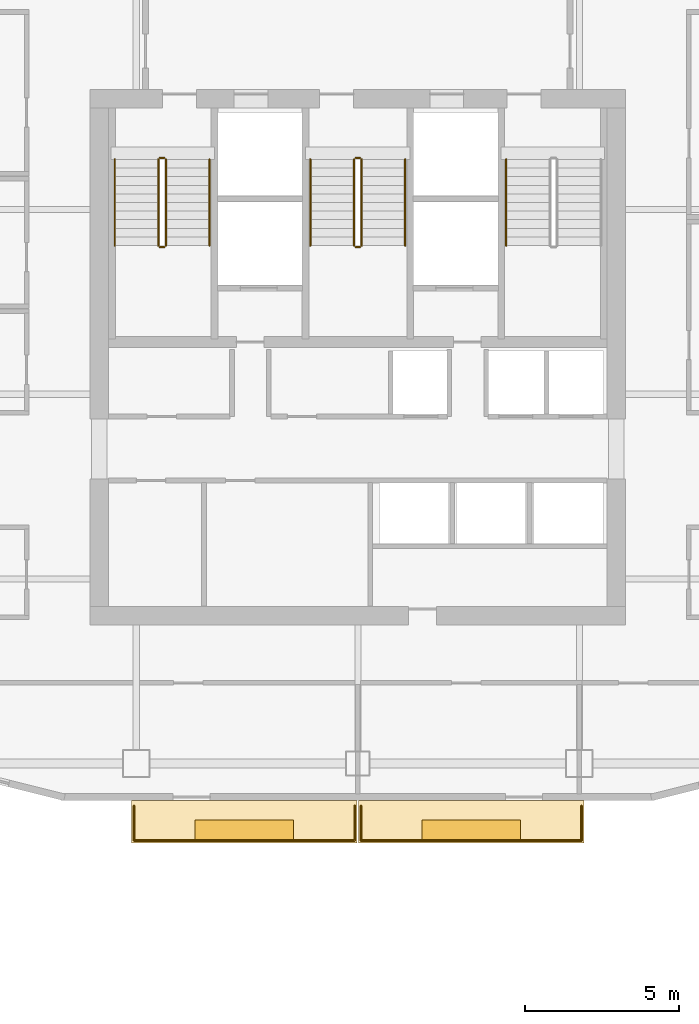
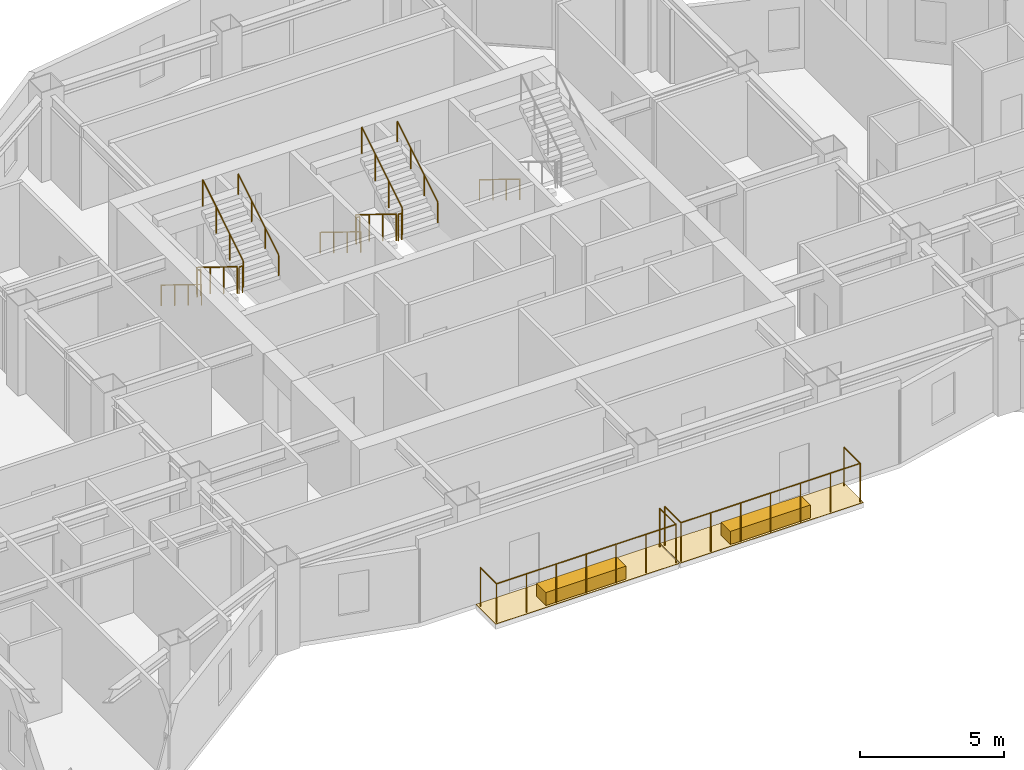
# One storey, part 10 of 12: 17 railings, 4 coverings.
"""IFC4 building model written with IfcOpenShell, lengths in metres."""

from ifc_helpers import new_model, si_unit, direction, frame, origin, origin_2d, place, context, subcontext, project, spatial, polyline, rectangle, circle, outline, extrude, material, layer, layer_set, type_object, element, save


model = new_model("IFC4")

# Units and contexts
model_context = context("Model", 3, precision=1e-05, world=origin(), true_north=direction((0.0, 1.0)))
body_context = subcontext(model_context, "Body", "Model", "MODEL_VIEW")
ifc_project = project(units=[si_unit("LENGTHUNIT", "METRE"), si_unit("AREAUNIT", "SQUARE_METRE"), si_unit("VOLUMEUNIT", "CUBIC_METRE"), si_unit("PLANEANGLEUNIT", "RADIAN"), si_unit("MASSUNIT", "GRAM", prefix="KILO")], contexts=[model_context])

# Site, building, storey
site_placement = place(None, origin())
site = spatial("IfcSite", under=ifc_project, at=site_placement, CompositionType="ELEMENT")
building_placement = place(site_placement, origin())
building = spatial("IfcBuilding", under=site, at=building_placement, Name="Haolan Belvedere Tower", CompositionType="ELEMENT")
storey_placement = place(building_placement, frame((0.0, 0.0, 203.199951171875)))
storey = spatial("IfcBuildingStorey", under=building, at=storey_placement, Name="L51", CompositionType="ELEMENT", Elevation=203.199951171875)

# Coverings
ifc_material_1 = material(Name="Engineered lightweight planted garden soil substrate", Category="masonry")
ifc_layer_1 = layer(ifc_material_1, 0.550048828125, Name="Engineered lightweight planted garden soil substrate")
ifc_layer_set_1 = layer_set([ifc_layer_1], Name="Engineered lightweight planted garden soil substrate")
covering_type_1 = type_object("IfcCoveringType", Name="COV-PLANT-550", PredefinedType="MEMBRANE", material=ifc_layer_set_1)
for number, where, z_axis, x_axis, name in (
    (1, (34.715087890625, 19.43994140625, 0.0), (0.0, 0.0, 1.0), (1.0, 0.0, 0.0), "L51 structural tree balcony PLANTER box 1"),
    (2, (42.0849609375, 19.43994140625, 0.0), (0.0, 0.0, 1.0), (1.0, 0.0, 0.0), "L51 structural tree balcony PLANTER box 2"),
):
    element("IfcCovering", number, at=place(storey_placement, frame(where, z_axis=z_axis, x_axis=x_axis)), inside=storey, type_object=covering_type_1, Name=name, PredefinedType="MEMBRANE", context=body_context, shape_type="SweptSolid", body=[
        extrude(rectangle(XDim=3.199951171875, YDim=0.64990234375, at=origin_2d()), origin(), (0.0, 0.0, 1.0), 0.550048828125),
    ])
ifc_material_2 = material(Name="Elastomeric waterproof roofing membrane and stone pavers", Category="masonry")
ifc_layer_2 = layer(ifc_material_2, 0.02001953125, Name="Elastomeric waterproof roofing membrane and stone pavers")
ifc_layer_set_2 = layer_set([ifc_layer_2], Name="Elastomeric waterproof roofing membrane and stone pavers")
covering_type_2 = type_object("IfcCoveringType", Name="COV-ROOF-20", PredefinedType="ROOFING", material=ifc_layer_set_2)
covering_1_placement = place(storey_placement, frame((0.0, 0.0, -0.02001953125)))
element("IfcCovering", 3, at=covering_1_placement, inside=storey, type_object=covering_type_2, Name="L51 tree-balcony waterproof membrane 1", PredefinedType="ROOFING", context=body_context, shape_type="SweptSolid", body=[
    extrude(outline(polyline([(31.050048828125, 19.02001953125), (38.3798828125, 19.02001953125), (38.3798828125, 20.39990234375), (31.050048828125, 20.39990234375), (31.050048828125, 19.02001953125)])), origin(), (0.0, 0.0, 1.0), 0.02001953125),
])
covering_2_placement = place(storey_placement, frame((0.0, 0.0, -0.02001953125)))
element("IfcCovering", 4, at=covering_2_placement, inside=storey, type_object=covering_type_2, Name="L51 tree-balcony waterproof membrane 2", PredefinedType="ROOFING", context=body_context, shape_type="SweptSolid", body=[
    extrude(outline(polyline([(38.419921875, 19.02001953125), (45.75, 19.02001953125), (45.75, 20.39990234375), (38.419921875, 20.39990234375), (38.419921875, 19.02001953125)])), origin(), (0.0, 0.0, 1.0), 0.02001953125),
])

# Railings
ifc_material_3 = material(Name="Brushed stainless steel 304", Category="steel")
railing_type_1 = type_object("IfcRailingType", Name="RL-STAIR-GRD-1150", PredefinedType="GUARDRAIL", material=ifc_material_3)
railing_1_placement = place(storey_placement, frame((31.919921875, 41.22998046875, 0.1728515625)))
element("IfcRailing", 5, at=railing_1_placement, inside=storey, type_object=railing_type_1, Name="L51 ST1 stair guard 1", PredefinedType="GUARDRAIL", context=body_context, shape_type="SweptSolid", body=[
    extrude(circle(Radius=0.02392578125, at=origin_2d()), frame((0.0, 0.0, 1.1259765625), z_axis=(0.0, -0.851089632645, 0.525020415988), x_axis=(1.0, 0.0, 0.0)), (0.0, 0.0, 1.0), 3.2900390625),
    extrude(circle(Radius=0.02099609375, at=origin_2d()), origin(), (0.0, 0.0, 1.0), 1.101806640625),
    extrude(circle(Radius=0.02099609375, at=origin_2d()), frame((0.0, -0.933349609375, 0.57568359375)), (0.0, 0.0, 1.0), 1.101806640625),
    extrude(circle(Radius=0.02099609375, at=origin_2d()), frame((0.0, -1.86669921875, 1.151611328125)), (0.0, 0.0, 1.0), 1.101806640625),
    extrude(circle(Radius=0.02099609375, at=origin_2d()), frame((0.0, -2.800048828125, 1.727294921875)), (0.0, 0.0, 1.0), 1.101806640625),
])
railing_2_placement = place(storey_placement, frame((31.969970703125, 38.3798828125, 1.900146484375)))
element("IfcRailing", 6, at=railing_2_placement, inside=storey, type_object=railing_type_1, Name="L51 ST1 stair guard 2", PredefinedType="GUARDRAIL", context=body_context, shape_type="SweptSolid", body=[
    extrude(circle(Radius=0.02392578125, at=origin_2d()), frame((0.0, 0.0, 1.1259765625), z_axis=(1.0, 0.0, 0.0), x_axis=(0.0, 1.0, 0.0)), (0.0, 0.0, 1.0), 0.14013671875),
    extrude(circle(Radius=0.02099609375, at=origin_2d()), origin(), (0.0, 0.0, 1.0), 1.101806640625),
    extrude(circle(Radius=0.02099609375, at=origin_2d()), frame((0.14013671875, 0.0, 0.0)), (0.0, 0.0, 1.0), 1.101806640625),
])
railing_3_placement = place(storey_placement, frame((32.159912109375, 38.429931640625, 2.07275390625)))
element("IfcRailing", 7, at=railing_3_placement, inside=storey, type_object=railing_type_1, Name="L51 ST1 stair guard 3", PredefinedType="GUARDRAIL", context=body_context, shape_type="SweptSolid", body=[
    extrude(circle(Radius=0.02392578125, at=origin_2d()), frame((0.0, 0.0, 1.1259765625), z_axis=(0.0, 0.851089632645, 0.525020415988), x_axis=(-1.0, 0.0, 0.0)), (0.0, 0.0, 1.0), 3.2900390625),
    extrude(circle(Radius=0.02099609375, at=origin_2d()), origin(), (0.0, 0.0, 1.0), 1.101806640625),
    extrude(circle(Radius=0.02099609375, at=origin_2d()), frame((0.0, 0.933349609375, 0.57568359375)), (0.0, 0.0, 1.0), 1.101806640625),
    extrude(circle(Radius=0.02099609375, at=origin_2d()), frame((0.0, 1.86669921875, 1.151611328125)), (0.0, 0.0, 1.0), 1.101806640625),
    extrude(circle(Radius=0.02099609375, at=origin_2d()), frame((0.0, 2.800048828125, 1.727294921875)), (0.0, 0.0, 1.0), 1.101806640625),
])
railing_4_placement = place(storey_placement, frame((31.969970703125, 41.280029296875, 0.0)))
element("IfcRailing", 8, at=railing_4_placement, inside=storey, type_object=railing_type_1, Name="L51 ST1 stair guard 4", PredefinedType="GUARDRAIL", context=body_context, shape_type="SweptSolid", body=[
    extrude(circle(Radius=0.02392578125, at=origin_2d()), frame((0.0, 0.0, 1.1259765625), z_axis=(1.0, 0.0, 0.0), x_axis=(0.0, 1.0, 0.0)), (0.0, 0.0, 1.0), 0.14013671875),
    extrude(circle(Radius=0.02099609375, at=origin_2d()), origin(), (0.0, 0.0, 1.0), 1.101806640625),
    extrude(circle(Radius=0.02099609375, at=origin_2d()), frame((0.14013671875, 0.0, 0.0)), (0.0, 0.0, 1.0), 1.101806640625),
])
railing_5_placement = place(storey_placement, frame((38.280029296875, 41.22998046875, 0.1728515625)))
element("IfcRailing", 9, at=railing_5_placement, inside=storey, type_object=railing_type_1, Name="L51 ST3 stair guard 1", PredefinedType="GUARDRAIL", context=body_context, shape_type="SweptSolid", body=[
    extrude(circle(Radius=0.02392578125, at=origin_2d()), frame((0.0, 0.0, 1.1259765625), z_axis=(0.0, -0.851089632645, 0.525020415988), x_axis=(1.0, 0.0, 0.0)), (0.0, 0.0, 1.0), 3.2900390625),
    extrude(circle(Radius=0.02099609375, at=origin_2d()), origin(), (0.0, 0.0, 1.0), 1.101806640625),
    extrude(circle(Radius=0.02099609375, at=origin_2d()), frame((0.0, -0.933349609375, 0.57568359375)), (0.0, 0.0, 1.0), 1.101806640625),
    extrude(circle(Radius=0.02099609375, at=origin_2d()), frame((0.0, -1.86669921875, 1.151611328125)), (0.0, 0.0, 1.0), 1.101806640625),
    extrude(circle(Radius=0.02099609375, at=origin_2d()), frame((0.0, -2.800048828125, 1.727294921875)), (0.0, 0.0, 1.0), 1.101806640625),
])
railing_6_placement = place(storey_placement, frame((38.330078125, 38.3798828125, 1.900146484375)))
element("IfcRailing", 10, at=railing_6_placement, inside=storey, type_object=railing_type_1, Name="L51 ST3 stair guard 2", PredefinedType="GUARDRAIL", context=body_context, shape_type="SweptSolid", body=[
    extrude(circle(Radius=0.02392578125, at=origin_2d()), frame((0.0, 0.0, 1.1259765625), z_axis=(1.0, 0.0, 0.0), x_axis=(0.0, 1.0, 0.0)), (0.0, 0.0, 1.0), 0.139892578125),
    extrude(circle(Radius=0.02099609375, at=origin_2d()), origin(), (0.0, 0.0, 1.0), 1.101806640625),
    extrude(circle(Radius=0.02099609375, at=origin_2d()), frame((0.139892578125, 0.0, 0.0)), (0.0, 0.0, 1.0), 1.101806640625),
])
railing_7_placement = place(storey_placement, frame((38.52001953125, 38.429931640625, 2.07275390625)))
element("IfcRailing", 11, at=railing_7_placement, inside=storey, type_object=railing_type_1, Name="L51 ST3 stair guard 3", PredefinedType="GUARDRAIL", context=body_context, shape_type="SweptSolid", body=[
    extrude(circle(Radius=0.02392578125, at=origin_2d()), frame((0.0, 0.0, 1.1259765625), z_axis=(0.0, 0.851089632645, 0.525020415988), x_axis=(-1.0, 0.0, 0.0)), (0.0, 0.0, 1.0), 3.2900390625),
    extrude(circle(Radius=0.02099609375, at=origin_2d()), origin(), (0.0, 0.0, 1.0), 1.101806640625),
    extrude(circle(Radius=0.02099609375, at=origin_2d()), frame((0.0, 0.933349609375, 0.57568359375)), (0.0, 0.0, 1.0), 1.101806640625),
    extrude(circle(Radius=0.02099609375, at=origin_2d()), frame((0.0, 1.86669921875, 1.151611328125)), (0.0, 0.0, 1.0), 1.101806640625),
    extrude(circle(Radius=0.02099609375, at=origin_2d()), frame((0.0, 2.800048828125, 1.727294921875)), (0.0, 0.0, 1.0), 1.101806640625),
])
railing_8_placement = place(storey_placement, frame((38.330078125, 41.280029296875, 0.0)))
element("IfcRailing", 12, at=railing_8_placement, inside=storey, type_object=railing_type_1, Name="L51 ST3 stair guard 4", PredefinedType="GUARDRAIL", context=body_context, shape_type="SweptSolid", body=[
    extrude(circle(Radius=0.02392578125, at=origin_2d()), frame((0.0, 0.0, 1.1259765625), z_axis=(1.0, 0.0, 0.0), x_axis=(0.0, 1.0, 0.0)), (0.0, 0.0, 1.0), 0.139892578125),
    extrude(circle(Radius=0.02099609375, at=origin_2d()), origin(), (0.0, 0.0, 1.0), 1.101806640625),
    extrude(circle(Radius=0.02099609375, at=origin_2d()), frame((0.139892578125, 0.0, 0.0)), (0.0, 0.0, 1.0), 1.101806640625),
])
railing_type_2 = type_object("IfcRailingType", Name="RL-STAIR-HND-900", PredefinedType="HANDRAIL", material=ifc_material_3)
railing_9_placement = place(storey_placement, frame((30.5, 41.22998046875, 0.1728515625)))
element("IfcRailing", 13, at=railing_9_placement, inside=storey, type_object=railing_type_2, Name="L51 ST1 stair handrail 1", PredefinedType="HANDRAIL", context=body_context, shape_type="SweptSolid", body=[
    extrude(circle(Radius=0.02392578125, at=origin_2d()), frame((0.0, 0.0, 0.8759765625), z_axis=(0.0, -0.851089632645, 0.525020415988), x_axis=(1.0, 0.0, 0.0)), (0.0, 0.0, 1.0), 3.2900390625),
    extrude(circle(Radius=0.02099609375, at=origin_2d()), origin(), (0.0, 0.0, 1.0), 0.851806640625),
    extrude(circle(Radius=0.02099609375, at=origin_2d()), frame((0.0, -0.933349609375, 0.57568359375)), (0.0, 0.0, 1.0), 0.851806640625),
    extrude(circle(Radius=0.02099609375, at=origin_2d()), frame((0.0, -1.86669921875, 1.151611328125)), (0.0, 0.0, 1.0), 0.851806640625),
    extrude(circle(Radius=0.02099609375, at=origin_2d()), frame((0.0, -2.800048828125, 1.727294921875)), (0.0, 0.0, 1.0), 0.851806640625),
])
railing_10_placement = place(storey_placement, frame((33.580078125, 38.429931640625, 2.07275390625)))
element("IfcRailing", 14, at=railing_10_placement, inside=storey, type_object=railing_type_2, Name="L51 ST1 stair handrail 2", PredefinedType="HANDRAIL", context=body_context, shape_type="SweptSolid", body=[
    extrude(circle(Radius=0.02392578125, at=origin_2d()), frame((0.0, 0.0, 0.8759765625), z_axis=(0.0, 0.851089632645, 0.525020415988), x_axis=(-1.0, 0.0, 0.0)), (0.0, 0.0, 1.0), 3.2900390625),
    extrude(circle(Radius=0.02099609375, at=origin_2d()), origin(), (0.0, 0.0, 1.0), 0.851806640625),
    extrude(circle(Radius=0.02099609375, at=origin_2d()), frame((0.0, 0.933349609375, 0.57568359375)), (0.0, 0.0, 1.0), 0.851806640625),
    extrude(circle(Radius=0.02099609375, at=origin_2d()), frame((0.0, 1.86669921875, 1.151611328125)), (0.0, 0.0, 1.0), 0.851806640625),
    extrude(circle(Radius=0.02099609375, at=origin_2d()), frame((0.0, 2.800048828125, 1.727294921875)), (0.0, 0.0, 1.0), 0.851806640625),
])
railing_11_placement = place(storey_placement, frame((36.860107421875, 41.22998046875, 0.1728515625)))
element("IfcRailing", 15, at=railing_11_placement, inside=storey, type_object=railing_type_2, Name="L51 ST3 stair handrail 1", PredefinedType="HANDRAIL", context=body_context, shape_type="SweptSolid", body=[
    extrude(circle(Radius=0.02392578125, at=origin_2d()), frame((0.0, 0.0, 0.8759765625), z_axis=(0.0, -0.851089632645, 0.525020415988), x_axis=(1.0, 0.0, 0.0)), (0.0, 0.0, 1.0), 3.2900390625),
    extrude(circle(Radius=0.02099609375, at=origin_2d()), origin(), (0.0, 0.0, 1.0), 0.851806640625),
    extrude(circle(Radius=0.02099609375, at=origin_2d()), frame((0.0, -0.933349609375, 0.57568359375)), (0.0, 0.0, 1.0), 0.851806640625),
    extrude(circle(Radius=0.02099609375, at=origin_2d()), frame((0.0, -1.86669921875, 1.151611328125)), (0.0, 0.0, 1.0), 0.851806640625),
    extrude(circle(Radius=0.02099609375, at=origin_2d()), frame((0.0, -2.800048828125, 1.727294921875)), (0.0, 0.0, 1.0), 0.851806640625),
])
railing_12_placement = place(storey_placement, frame((39.93994140625, 38.429931640625, 2.07275390625)))
element("IfcRailing", 16, at=railing_12_placement, inside=storey, type_object=railing_type_2, Name="L51 ST3 stair handrail 2", PredefinedType="HANDRAIL", context=body_context, shape_type="SweptSolid", body=[
    extrude(circle(Radius=0.02392578125, at=origin_2d()), frame((0.0, 0.0, 0.8759765625), z_axis=(0.0, 0.851089632645, 0.525020415988), x_axis=(-1.0, 0.0, 0.0)), (0.0, 0.0, 1.0), 3.2900390625),
    extrude(circle(Radius=0.02099609375, at=origin_2d()), origin(), (0.0, 0.0, 1.0), 0.851806640625),
    extrude(circle(Radius=0.02099609375, at=origin_2d()), frame((0.0, 0.933349609375, 0.57568359375)), (0.0, 0.0, 1.0), 0.851806640625),
    extrude(circle(Radius=0.02099609375, at=origin_2d()), frame((0.0, 1.86669921875, 1.151611328125)), (0.0, 0.0, 1.0), 0.851806640625),
    extrude(circle(Radius=0.02099609375, at=origin_2d()), frame((0.0, 2.800048828125, 1.727294921875)), (0.0, 0.0, 1.0), 0.851806640625),
])
railing_13_placement = place(storey_placement, frame((43.219970703125, 41.22998046875, 0.1728515625)))
element("IfcRailing", 17, at=railing_13_placement, inside=storey, type_object=railing_type_2, Name="L51 ST2 stair handrail 1", PredefinedType="HANDRAIL", context=body_context, shape_type="SweptSolid", body=[
    extrude(circle(Radius=0.02392578125, at=origin_2d()), frame((0.0, 0.0, 0.8759765625), z_axis=(0.0, -0.851089632645, 0.525020415988), x_axis=(1.0, 0.0, 0.0)), (0.0, 0.0, 1.0), 3.2900390625),
    extrude(circle(Radius=0.02099609375, at=origin_2d()), origin(), (0.0, 0.0, 1.0), 0.851806640625),
    extrude(circle(Radius=0.02099609375, at=origin_2d()), frame((0.0, -0.933349609375, 0.57568359375)), (0.0, 0.0, 1.0), 0.851806640625),
    extrude(circle(Radius=0.02099609375, at=origin_2d()), frame((0.0, -1.86669921875, 1.151611328125)), (0.0, 0.0, 1.0), 0.851806640625),
    extrude(circle(Radius=0.02099609375, at=origin_2d()), frame((0.0, -2.800048828125, 1.727294921875)), (0.0, 0.0, 1.0), 0.851806640625),
])
ifc_material_4 = material(Name="Anodised aluminium and laminated glass balustrade", Category="aluminium")
railing_type_3 = type_object("IfcRailingType", Name="RL-TER-BAL-1150", PredefinedType="BALUSTRADE", material=ifc_material_4)
railing_14_placement = place(storey_placement, frame((31.1298828125, 19.10009765625, 0.0)))
element("IfcRailing", 18, at=railing_14_placement, inside=storey, type_object=railing_type_3, Name="L51 outdoor perimeter balustrade BAL-L51-1-1", PredefinedType="BALUSTRADE", context=body_context, shape_type="SweptSolid", body=[
    extrude(circle(Radius=0.02392578125, at=origin_2d()), frame((0.0, 0.0, 1.6259765625), z_axis=(0.0, 1.0, 0.0), x_axis=(-1.0, 0.0, 0.0)), (0.0, 0.0, 1.0), 1.119873046875),
    extrude(circle(Radius=0.02099609375, at=origin_2d()), origin(), (0.0, 0.0, 1.0), 1.601806640625),
    extrude(circle(Radius=0.02099609375, at=origin_2d()), frame((0.0, 1.119873046875, 0.0)), (0.0, 0.0, 1.0), 1.601806640625),
])
railing_15_placement = place(storey_placement, frame((38.300048828125, 20.219970703125, 0.0)))
element("IfcRailing", 19, at=railing_15_placement, inside=storey, type_object=railing_type_3, Name="L51 outdoor perimeter balustrade BAL-L51-1-2", PredefinedType="BALUSTRADE", context=body_context, shape_type="SweptSolid", body=[
    extrude(circle(Radius=0.02392578125, at=origin_2d()), frame((0.0, 0.0, 1.6259765625), z_axis=(0.0, -1.0, 0.0), x_axis=(1.0, 0.0, 0.0)), (0.0, 0.0, 1.0), 1.119873046875),
    extrude(circle(Radius=0.02392578125, at=origin_2d()), frame((0.0, -1.119873046875, 1.6259765625), z_axis=(-1.0, 0.0, 0.0), x_axis=(0.0, -1.0, 0.0)), (0.0, 0.0, 1.0), 7.170166015625),
    extrude(circle(Radius=0.02099609375, at=origin_2d()), origin(), (0.0, 0.0, 1.0), 1.601806640625),
    extrude(circle(Radius=0.02099609375, at=origin_2d()), frame((0.0, -1.119873046875, 0.0)), (0.0, 0.0, 1.0), 1.601806640625),
    extrude(circle(Radius=0.02099609375, at=origin_2d()), frame((-1.195068359375, -1.119873046875, 0.0)), (0.0, 0.0, 1.0), 1.601806640625),
    extrude(circle(Radius=0.02099609375, at=origin_2d()), frame((-2.39013671875, -1.119873046875, 0.0)), (0.0, 0.0, 1.0), 1.601806640625),
    extrude(circle(Radius=0.02099609375, at=origin_2d()), frame((-3.5849609375, -1.119873046875, 0.0)), (0.0, 0.0, 1.0), 1.601806640625),
    extrude(circle(Radius=0.02099609375, at=origin_2d()), frame((-4.780029296875, -1.119873046875, 0.0)), (0.0, 0.0, 1.0), 1.601806640625),
    extrude(circle(Radius=0.02099609375, at=origin_2d()), frame((-5.97509765625, -1.119873046875, 0.0)), (0.0, 0.0, 1.0), 1.601806640625),
    extrude(circle(Radius=0.02099609375, at=origin_2d()), frame((-7.170166015625, -1.119873046875, 0.0)), (0.0, 0.0, 1.0), 1.601806640625),
])
railing_16_placement = place(storey_placement, frame((38.5, 19.10009765625, 0.0)))
element("IfcRailing", 20, at=railing_16_placement, inside=storey, type_object=railing_type_3, Name="L51 outdoor perimeter balustrade BAL-L51-2-1", PredefinedType="BALUSTRADE", context=body_context, shape_type="SweptSolid", body=[
    extrude(circle(Radius=0.02392578125, at=origin_2d()), frame((0.0, 0.0, 1.6259765625), z_axis=(0.0, 1.0, 0.0), x_axis=(-1.0, 0.0, 0.0)), (0.0, 0.0, 1.0), 1.119873046875),
    extrude(circle(Radius=0.02099609375, at=origin_2d()), origin(), (0.0, 0.0, 1.0), 1.601806640625),
    extrude(circle(Radius=0.02099609375, at=origin_2d()), frame((0.0, 1.119873046875, 0.0)), (0.0, 0.0, 1.0), 1.601806640625),
])
railing_17_placement = place(storey_placement, frame((45.669921875, 20.219970703125, 0.0)))
element("IfcRailing", 21, at=railing_17_placement, inside=storey, type_object=railing_type_3, Name="L51 outdoor perimeter balustrade BAL-L51-2-2", PredefinedType="BALUSTRADE", context=body_context, shape_type="SweptSolid", body=[
    extrude(circle(Radius=0.02392578125, at=origin_2d()), frame((0.0, 0.0, 1.6259765625), z_axis=(0.0, -1.0, 0.0), x_axis=(1.0, 0.0, 0.0)), (0.0, 0.0, 1.0), 1.119873046875),
    extrude(circle(Radius=0.02392578125, at=origin_2d()), frame((0.0, -1.119873046875, 1.6259765625), z_axis=(-1.0, 0.0, 0.0), x_axis=(0.0, -1.0, 0.0)), (0.0, 0.0, 1.0), 7.169921875),
    extrude(circle(Radius=0.02099609375, at=origin_2d()), origin(), (0.0, 0.0, 1.0), 1.601806640625),
    extrude(circle(Radius=0.02099609375, at=origin_2d()), frame((0.0, -1.119873046875, 0.0)), (0.0, 0.0, 1.0), 1.601806640625),
    extrude(circle(Radius=0.02099609375, at=origin_2d()), frame((-1.195068359375, -1.119873046875, 0.0)), (0.0, 0.0, 1.0), 1.601806640625),
    extrude(circle(Radius=0.02099609375, at=origin_2d()), frame((-2.389892578125, -1.119873046875, 0.0)), (0.0, 0.0, 1.0), 1.601806640625),
    extrude(circle(Radius=0.02099609375, at=origin_2d()), frame((-3.5849609375, -1.119873046875, 0.0)), (0.0, 0.0, 1.0), 1.601806640625),
    extrude(circle(Radius=0.02099609375, at=origin_2d()), frame((-4.780029296875, -1.119873046875, 0.0)), (0.0, 0.0, 1.0), 1.601806640625),
    extrude(circle(Radius=0.02099609375, at=origin_2d()), frame((-5.974853515625, -1.119873046875, 0.0)), (0.0, 0.0, 1.0), 1.601806640625),
    extrude(circle(Radius=0.02099609375, at=origin_2d()), frame((-7.169921875, -1.119873046875, 0.0)), (0.0, 0.0, 1.0), 1.601806640625),
])

save(model, "model.ifc")
